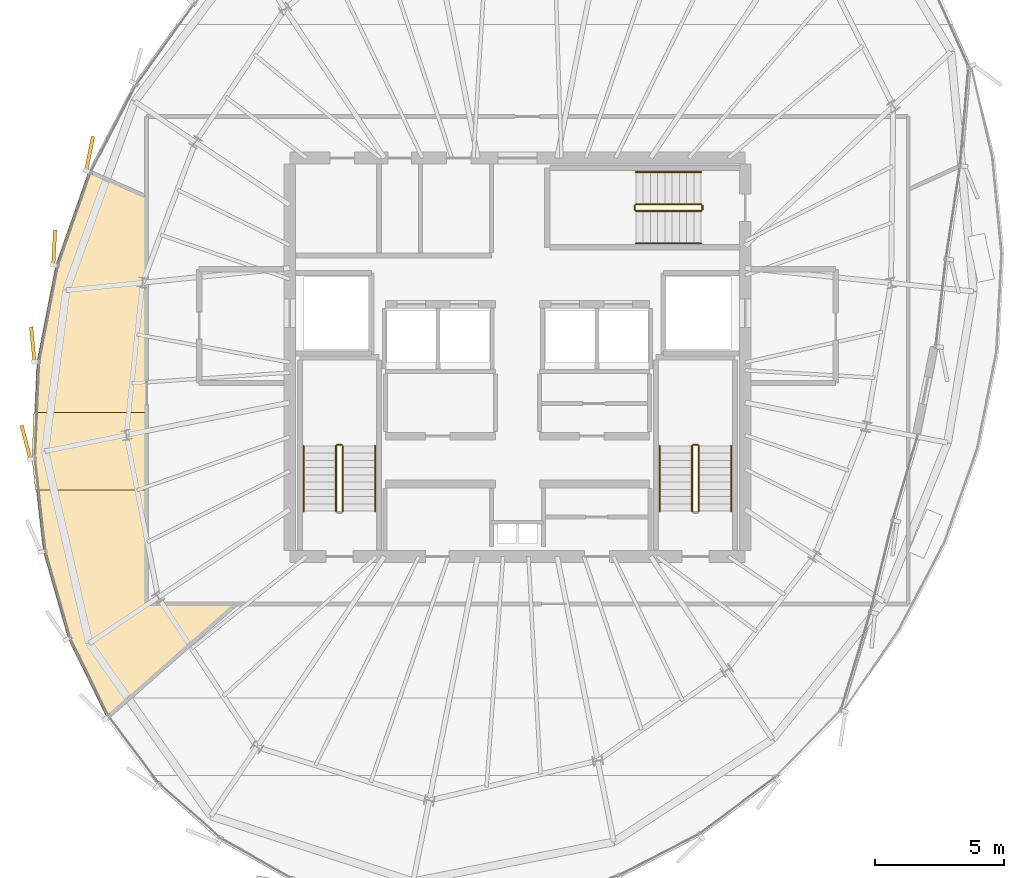
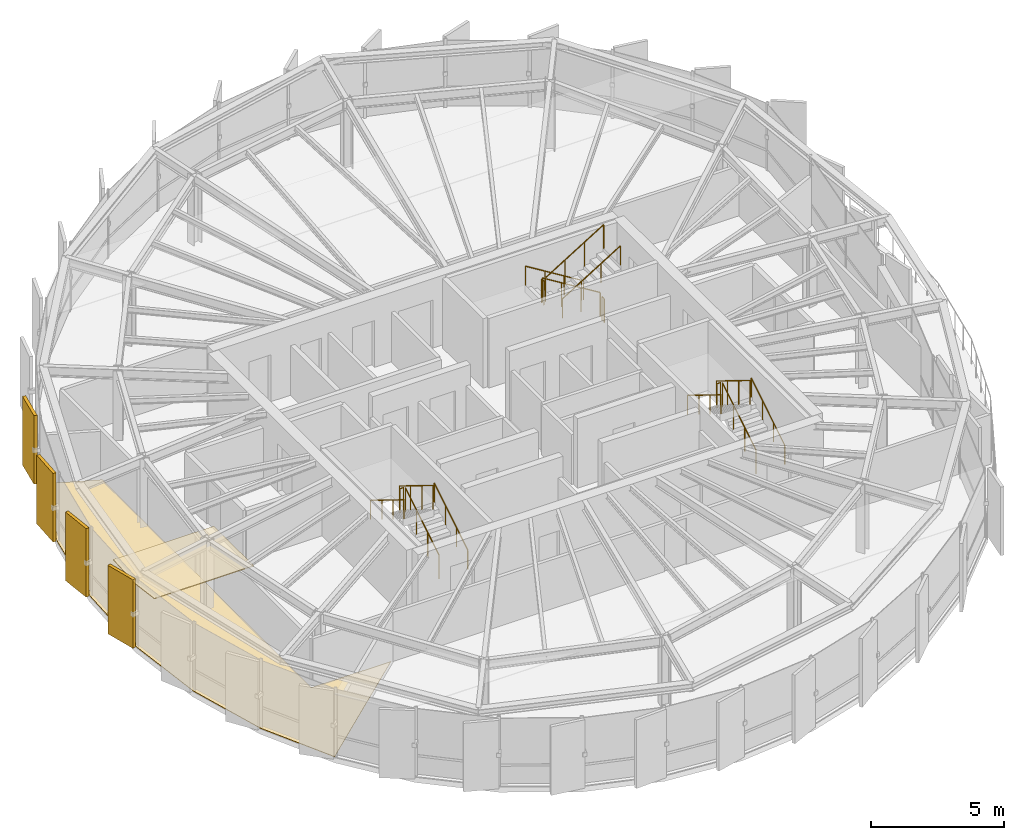
# One storey, part 30 of 31: 16 railings, 6 coverings.
"""IFC4 building model written with IfcOpenShell, lengths in metres."""

from ifc_helpers import new_model, si_unit, direction, frame, origin, origin_2d, place, context, subcontext, project, spatial, polyline, rectangle, circle, outline, extrude, source, transform, mapped, material, layer, layer_set, type_object, element, save


model = new_model("IFC4")

# Units and contexts
model_context = context("Model", 3, precision=1e-05, world=origin(), true_north=direction((0.0, 1.0)))
body_context = subcontext(model_context, "Body", "Model", "MODEL_VIEW")
ifc_project = project(units=[si_unit("LENGTHUNIT", "METRE"), si_unit("AREAUNIT", "SQUARE_METRE"), si_unit("VOLUMEUNIT", "CUBIC_METRE"), si_unit("PLANEANGLEUNIT", "RADIAN"), si_unit("MASSUNIT", "GRAM", prefix="KILO"), si_unit("THERMODYNAMICTEMPERATUREUNIT", "KELVIN")], contexts=[model_context])

# Site, building, storey
site_placement = place(None, origin())
site = spatial("IfcSite", under=ifc_project, at=site_placement, CompositionType="ELEMENT")
building_placement = place(site_placement, origin())
building = spatial("IfcBuilding", under=site, at=building_placement, Name="Kethvar Cultural Tower", CompositionType="ELEMENT")
storey_placement = place(building_placement, frame((0.0, 0.0, 300.85009765625)))
storey = spatial("IfcBuildingStorey", under=building, at=storey_placement, Name="L80", CompositionType="ELEMENT", Elevation=300.85009765625)

# Coverings
ifc_material_1 = material(Name="Acoustic Mineral Fibre Ceiling")
ifc_layer_1 = layer(ifc_material_1, 0.0400390625, Name="Acoustic Mineral Fibre Ceiling")
ifc_layer_set_1 = layer_set([ifc_layer_1], Name="Acoustic Mineral Fibre Ceiling (40 mm)")
covering_type_1 = type_object("IfcCoveringType", Name="CV-ACOUSTIC-CEIL", PredefinedType="CEILING", material=ifc_layer_set_1)
covering_1_placement = place(storey_placement, frame((0.0, 0.0, 2.889892578125)))
element("IfcCovering", 1, at=covering_1_placement, inside=storey, type_object=covering_type_1, Name="L80 Room 03 Acoustic Ceiling Panel", PredefinedType="CEILING", context=body_context, shape_type="SweptSolid", body=[
    extrude(outline(polyline([(28.03271484375, 23.896240234375), (28.10888671875, 25.66162109375), (32.47998046875, 25.66162109375), (32.47998046875, 22.671630859375), (28.17138671875, 22.671630859375), (28.03271484375, 23.896240234375)])), origin(), (0.0, 0.0, 1.0), 0.0400390625),
])
ifc_material_2 = material(Name="Architectural Oak Timber", Category="wood")
ifc_layer_2 = layer(ifc_material_2, 0.02490234375, Name="Architectural Oak Timber", Category="wood")
ifc_layer_set_2 = layer_set([ifc_layer_2], Name="Architectural Oak Timber (25 mm)")
covering_type_2 = type_object("IfcCoveringType", Name="CV-OAK-FLOOR", PredefinedType="FLOORING", material=ifc_layer_set_2)
covering_2_placement = place(storey_placement, origin())
element("IfcCovering", 2, at=covering_2_placement, inside=storey, type_object=covering_type_2, Name="L80 Room 03 Floor Finish", PredefinedType="FLOORING", context=body_context, shape_type="SweptSolid", body=[
    extrude(outline(polyline([(29.445068359375, 16.91845703125), (28.480712890625, 20.294677734375), (28.072509765625, 23.899169921875), (28.23388671875, 27.622314453125), (28.95947265625, 31.35107421875), (30.220703125, 34.95263671875), (32.43994140625, 33.9921875), (32.44091796875, 18.26318359375), (35.88720703125, 18.2490234375), (30.92626953125, 13.89501953125), (29.445068359375, 16.91845703125)])), origin(), (0.0, 0.0, 1.0), 0.02490234375),
])

# Railings
ifc_material_3 = material(Name="Steel S355J2", Category="steel")
railing_type_1 = type_object("IfcRailingType", Name="RL-STAIR-GUARD", PredefinedType="BALUSTRADE", material=ifc_material_3)
railing_1_placement = place(storey_placement, frame((40.050048828125, 21.85009765625, 0.17236328125)))
element("IfcRailing", 3, at=railing_1_placement, inside=storey, type_object=railing_type_1, Name="L80 ST-01 stair guard 1", PredefinedType="BALUSTRADE", context=body_context, shape_type="SweptSolid", body=[
    extrude(circle(Radius=0.02392578125, at=origin_2d()), frame((0.0, 0.0, 1.09619140625), z_axis=(0.0, 0.851400495292, 0.524516154772), x_axis=(-1.0, 0.0, 0.0)), (0.0, 0.0, 1.0), 2.9599609375),
    extrude(circle(Radius=0.02099609375, at=origin_2d()), origin(), (0.0, 0.0, 1.0), 1.072021484375),
    extrude(circle(Radius=0.02099609375, at=origin_2d()), frame((0.0, 0.840087890625, 0.517578125)), (0.0, 0.0, 1.0), 1.072021484375),
    extrude(circle(Radius=0.02099609375, at=origin_2d()), frame((0.0, 1.679931640625, 1.034912109375)), (0.0, 0.0, 1.0), 1.072021484375),
    extrude(circle(Radius=0.02099609375, at=origin_2d()), frame((0.0, 2.52001953125, 1.552490234375)), (0.0, 0.0, 1.0), 1.072021484375),
])
railing_2_placement = place(storey_placement, frame((40.0, 24.419921875, 1.724853515625)))
element("IfcRailing", 4, at=railing_2_placement, inside=storey, type_object=railing_type_1, Name="L80 ST-01 stair guard 2", PredefinedType="BALUSTRADE", context=body_context, shape_type="SweptSolid", body=[
    extrude(circle(Radius=0.02392578125, at=origin_2d()), frame((0.0, 0.0, 1.09619140625), z_axis=(-1.0, 0.0, 0.0), x_axis=(0.0, -1.0, 0.0)), (0.0, 0.0, 1.0), 0.159912109375),
    extrude(circle(Radius=0.02099609375, at=origin_2d()), origin(), (0.0, 0.0, 1.0), 1.072021484375),
    extrude(circle(Radius=0.02099609375, at=origin_2d()), frame((-0.159912109375, 0.0, 0.0)), (0.0, 0.0, 1.0), 1.072021484375),
])
railing_3_placement = place(storey_placement, frame((39.7900390625, 24.3701171875, 1.8974609375)))
element("IfcRailing", 5, at=railing_3_placement, inside=storey, type_object=railing_type_1, Name="L80 ST-01 stair guard 3", PredefinedType="BALUSTRADE", context=body_context, shape_type="SweptSolid", body=[
    extrude(circle(Radius=0.02392578125, at=origin_2d()), frame((0.0, 0.0, 1.09619140625), z_axis=(0.0, -0.851400495292, 0.524516154772), x_axis=(1.0, 0.0, 0.0)), (0.0, 0.0, 1.0), 2.9599609375),
    extrude(circle(Radius=0.02099609375, at=origin_2d()), origin(), (0.0, 0.0, 1.0), 1.072021484375),
    extrude(circle(Radius=0.02099609375, at=origin_2d()), frame((0.0, -0.840087890625, 0.517578125)), (0.0, 0.0, 1.0), 1.072021484375),
    extrude(circle(Radius=0.02099609375, at=origin_2d()), frame((0.0, -1.679931640625, 1.034912109375)), (0.0, 0.0, 1.0), 1.072021484375),
    extrude(circle(Radius=0.02099609375, at=origin_2d()), frame((0.0, -2.52001953125, 1.552490234375)), (0.0, 0.0, 1.0), 1.072021484375),
])
railing_4_placement = place(storey_placement, frame((53.81005859375, 21.85009765625, 0.17236328125)))
element("IfcRailing", 6, at=railing_4_placement, inside=storey, type_object=railing_type_1, Name="L80 ST-02 stair guard 1", PredefinedType="BALUSTRADE", context=body_context, shape_type="SweptSolid", body=[
    extrude(circle(Radius=0.02392578125, at=origin_2d()), frame((0.0, 0.0, 1.09619140625), z_axis=(0.0, 0.851400495292, 0.524516154772), x_axis=(-1.0, 0.0, 0.0)), (0.0, 0.0, 1.0), 2.9599609375),
    extrude(circle(Radius=0.02099609375, at=origin_2d()), origin(), (0.0, 0.0, 1.0), 1.072021484375),
    extrude(circle(Radius=0.02099609375, at=origin_2d()), frame((0.0, 0.840087890625, 0.517578125)), (0.0, 0.0, 1.0), 1.072021484375),
    extrude(circle(Radius=0.02099609375, at=origin_2d()), frame((0.0, 1.679931640625, 1.034912109375)), (0.0, 0.0, 1.0), 1.072021484375),
    extrude(circle(Radius=0.02099609375, at=origin_2d()), frame((0.0, 2.52001953125, 1.552490234375)), (0.0, 0.0, 1.0), 1.072021484375),
])
railing_5_placement = place(storey_placement, frame((53.760009765625, 24.419921875, 1.724853515625)))
element("IfcRailing", 7, at=railing_5_placement, inside=storey, type_object=railing_type_1, Name="L80 ST-02 stair guard 2", PredefinedType="BALUSTRADE", context=body_context, shape_type="SweptSolid", body=[
    extrude(circle(Radius=0.02392578125, at=origin_2d()), frame((0.0, 0.0, 1.09619140625), z_axis=(-1.0, 0.0, 0.0), x_axis=(0.0, -1.0, 0.0)), (0.0, 0.0, 1.0), 0.159912109375),
    extrude(circle(Radius=0.02099609375, at=origin_2d()), origin(), (0.0, 0.0, 1.0), 1.072021484375),
    extrude(circle(Radius=0.02099609375, at=origin_2d()), frame((-0.159912109375, 0.0, 0.0)), (0.0, 0.0, 1.0), 1.072021484375),
])
railing_6_placement = place(storey_placement, frame((53.550048828125, 24.3701171875, 1.8974609375)))
element("IfcRailing", 8, at=railing_6_placement, inside=storey, type_object=railing_type_1, Name="L80 ST-02 stair guard 3", PredefinedType="BALUSTRADE", context=body_context, shape_type="SweptSolid", body=[
    extrude(circle(Radius=0.02392578125, at=origin_2d()), frame((0.0, 0.0, 1.09619140625), z_axis=(0.0, -0.851400495292, 0.524516154772), x_axis=(1.0, 0.0, 0.0)), (0.0, 0.0, 1.0), 2.9599609375),
    extrude(circle(Radius=0.02099609375, at=origin_2d()), origin(), (0.0, 0.0, 1.0), 1.072021484375),
    extrude(circle(Radius=0.02099609375, at=origin_2d()), frame((0.0, -0.840087890625, 0.517578125)), (0.0, 0.0, 1.0), 1.072021484375),
    extrude(circle(Radius=0.02099609375, at=origin_2d()), frame((0.0, -1.679931640625, 1.034912109375)), (0.0, 0.0, 1.0), 1.072021484375),
    extrude(circle(Radius=0.02099609375, at=origin_2d()), frame((0.0, -2.52001953125, 1.552490234375)), (0.0, 0.0, 1.0), 1.072021484375),
])
railing_7_placement = place(storey_placement, frame((53.89990234375, 33.7099609375, 0.17236328125)))
element("IfcRailing", 9, at=railing_7_placement, inside=storey, type_object=railing_type_1, Name="L80 ST-03 stair guard 1", PredefinedType="BALUSTRADE", context=body_context, shape_type="SweptSolid", body=[
    extrude(circle(Radius=0.02392578125, at=origin_2d()), frame((0.0, 0.0, 1.09619140625), z_axis=(-0.851400495292, 0.0, 0.524516154772), x_axis=(0.0, -1.0, 0.0)), (0.0, 0.0, 1.0), 2.9599609375),
    extrude(circle(Radius=0.02099609375, at=origin_2d()), origin(), (0.0, 0.0, 1.0), 1.072021484375),
    extrude(circle(Radius=0.02099609375, at=origin_2d()), frame((-0.840087890625, 0.0, 0.517578125)), (0.0, 0.0, 1.0), 1.072021484375),
    extrude(circle(Radius=0.02099609375, at=origin_2d()), frame((-1.679931640625, 0.0, 1.034912109375)), (0.0, 0.0, 1.0), 1.072021484375),
    extrude(circle(Radius=0.02099609375, at=origin_2d()), frame((-2.52001953125, 0.0, 1.552490234375)), (0.0, 0.0, 1.0), 1.072021484375),
])
railing_8_placement = place(storey_placement, frame((51.330078125, 33.659912109375, 1.724853515625)))
element("IfcRailing", 10, at=railing_8_placement, inside=storey, type_object=railing_type_1, Name="L80 ST-03 stair guard 2", PredefinedType="BALUSTRADE", context=body_context, shape_type="SweptSolid", body=[
    extrude(circle(Radius=0.02392578125, at=origin_2d()), frame((0.0, 0.0, 1.09619140625), z_axis=(0.0, -1.0, 0.0), x_axis=(1.0, 0.0, 0.0)), (0.0, 0.0, 1.0), 0.159912109375),
    extrude(circle(Radius=0.02099609375, at=origin_2d()), origin(), (0.0, 0.0, 1.0), 1.072021484375),
    extrude(circle(Radius=0.02099609375, at=origin_2d()), frame((0.0, -0.159912109375, 0.0)), (0.0, 0.0, 1.0), 1.072021484375),
])
railing_9_placement = place(storey_placement, frame((51.3798828125, 33.449951171875, 1.8974609375)))
element("IfcRailing", 11, at=railing_9_placement, inside=storey, type_object=railing_type_1, Name="L80 ST-03 stair guard 3", PredefinedType="BALUSTRADE", context=body_context, shape_type="SweptSolid", body=[
    extrude(circle(Radius=0.02392578125, at=origin_2d()), frame((0.0, 0.0, 1.09619140625), z_axis=(0.851400495292, 0.0, 0.524516154772), x_axis=(0.0, 1.0, 0.0)), (0.0, 0.0, 1.0), 2.9599609375),
    extrude(circle(Radius=0.02099609375, at=origin_2d()), origin(), (0.0, 0.0, 1.0), 1.072021484375),
    extrude(circle(Radius=0.02099609375, at=origin_2d()), frame((0.840087890625, 0.0, 0.517578125)), (0.0, 0.0, 1.0), 1.072021484375),
    extrude(circle(Radius=0.02099609375, at=origin_2d()), frame((1.679931640625, 0.0, 1.034912109375)), (0.0, 0.0, 1.0), 1.072021484375),
    extrude(circle(Radius=0.02099609375, at=origin_2d()), frame((2.52001953125, 0.0, 1.552490234375)), (0.0, 0.0, 1.0), 1.072021484375),
])
railing_10_placement = place(storey_placement, frame((53.949951171875, 33.659912109375, 0.0)))
element("IfcRailing", 12, at=railing_10_placement, inside=storey, type_object=railing_type_1, Name="L80 ST-03 stair guard 4", PredefinedType="BALUSTRADE", context=body_context, shape_type="SweptSolid", body=[
    extrude(circle(Radius=0.02392578125, at=origin_2d()), frame((0.0, 0.0, 1.09619140625), z_axis=(0.0, -1.0, 0.0), x_axis=(1.0, 0.0, 0.0)), (0.0, 0.0, 1.0), 0.159912109375),
    extrude(circle(Radius=0.02099609375, at=origin_2d()), origin(), (0.0, 0.0, 1.0), 1.072021484375),
    extrude(circle(Radius=0.02099609375, at=origin_2d()), frame((0.0, -0.159912109375, 0.0)), (0.0, 0.0, 1.0), 1.072021484375),
])
railing_type_2 = type_object("IfcRailingType", Name="RL-STAIR-HANDRAIL", PredefinedType="HANDRAIL", material=ifc_material_3)
railing_11_placement = place(storey_placement, frame((41.300048828125, 21.85009765625, 0.17236328125)))
element("IfcRailing", 13, at=railing_11_placement, inside=storey, type_object=railing_type_2, Name="L80 ST-01 stair handrail 1", PredefinedType="HANDRAIL", context=body_context, shape_type="SweptSolid", body=[
    extrude(circle(Radius=0.02392578125, at=origin_2d()), frame((0.0, 0.0, 0.8759765625), z_axis=(0.0, 0.851400495292, 0.524516154772), x_axis=(-1.0, 0.0, 0.0)), (0.0, 0.0, 1.0), 2.9599609375),
    extrude(circle(Radius=0.02099609375, at=origin_2d()), origin(), (0.0, 0.0, 1.0), 0.851806640625),
    extrude(circle(Radius=0.02099609375, at=origin_2d()), frame((0.0, 0.840087890625, 0.517578125)), (0.0, 0.0, 1.0), 0.851806640625),
    extrude(circle(Radius=0.02099609375, at=origin_2d()), frame((0.0, 1.679931640625, 1.034912109375)), (0.0, 0.0, 1.0), 0.851806640625),
    extrude(circle(Radius=0.02099609375, at=origin_2d()), frame((0.0, 2.52001953125, 1.552490234375)), (0.0, 0.0, 1.0), 0.851806640625),
])
railing_12_placement = place(storey_placement, frame((38.5400390625, 24.3701171875, 1.8974609375)))
element("IfcRailing", 14, at=railing_12_placement, inside=storey, type_object=railing_type_2, Name="L80 ST-01 stair handrail 2", PredefinedType="HANDRAIL", context=body_context, shape_type="SweptSolid", body=[
    extrude(circle(Radius=0.02392578125, at=origin_2d()), frame((0.0, 0.0, 0.8759765625), z_axis=(0.0, -0.851400495292, 0.524516154772), x_axis=(1.0, 0.0, 0.0)), (0.0, 0.0, 1.0), 2.9599609375),
    extrude(circle(Radius=0.02099609375, at=origin_2d()), origin(), (0.0, 0.0, 1.0), 0.851806640625),
    extrude(circle(Radius=0.02099609375, at=origin_2d()), frame((0.0, -0.840087890625, 0.517578125)), (0.0, 0.0, 1.0), 0.851806640625),
    extrude(circle(Radius=0.02099609375, at=origin_2d()), frame((0.0, -1.679931640625, 1.034912109375)), (0.0, 0.0, 1.0), 0.851806640625),
    extrude(circle(Radius=0.02099609375, at=origin_2d()), frame((0.0, -2.52001953125, 1.552490234375)), (0.0, 0.0, 1.0), 0.851806640625),
])
railing_13_placement = place(storey_placement, frame((55.06005859375, 21.85009765625, 0.17236328125)))
element("IfcRailing", 15, at=railing_13_placement, inside=storey, type_object=railing_type_2, Name="L80 ST-02 stair handrail 1", PredefinedType="HANDRAIL", context=body_context, shape_type="SweptSolid", body=[
    extrude(circle(Radius=0.02392578125, at=origin_2d()), frame((0.0, 0.0, 0.8759765625), z_axis=(0.0, 0.851400495292, 0.524516154772), x_axis=(-1.0, 0.0, 0.0)), (0.0, 0.0, 1.0), 2.9599609375),
    extrude(circle(Radius=0.02099609375, at=origin_2d()), origin(), (0.0, 0.0, 1.0), 0.851806640625),
    extrude(circle(Radius=0.02099609375, at=origin_2d()), frame((0.0, 0.840087890625, 0.517578125)), (0.0, 0.0, 1.0), 0.851806640625),
    extrude(circle(Radius=0.02099609375, at=origin_2d()), frame((0.0, 1.679931640625, 1.034912109375)), (0.0, 0.0, 1.0), 0.851806640625),
    extrude(circle(Radius=0.02099609375, at=origin_2d()), frame((0.0, 2.52001953125, 1.552490234375)), (0.0, 0.0, 1.0), 0.851806640625),
])
railing_14_placement = place(storey_placement, frame((52.300048828125, 24.3701171875, 1.8974609375)))
element("IfcRailing", 16, at=railing_14_placement, inside=storey, type_object=railing_type_2, Name="L80 ST-02 stair handrail 2", PredefinedType="HANDRAIL", context=body_context, shape_type="SweptSolid", body=[
    extrude(circle(Radius=0.02392578125, at=origin_2d()), frame((0.0, 0.0, 0.8759765625), z_axis=(0.0, -0.851400495292, 0.524516154772), x_axis=(1.0, 0.0, 0.0)), (0.0, 0.0, 1.0), 2.9599609375),
    extrude(circle(Radius=0.02099609375, at=origin_2d()), origin(), (0.0, 0.0, 1.0), 0.851806640625),
    extrude(circle(Radius=0.02099609375, at=origin_2d()), frame((0.0, -0.840087890625, 0.517578125)), (0.0, 0.0, 1.0), 0.851806640625),
    extrude(circle(Radius=0.02099609375, at=origin_2d()), frame((0.0, -1.679931640625, 1.034912109375)), (0.0, 0.0, 1.0), 0.851806640625),
    extrude(circle(Radius=0.02099609375, at=origin_2d()), frame((0.0, -2.52001953125, 1.552490234375)), (0.0, 0.0, 1.0), 0.851806640625),
])
railing_15_placement = place(storey_placement, frame((53.89990234375, 34.9599609375, 0.17236328125)))
element("IfcRailing", 17, at=railing_15_placement, inside=storey, type_object=railing_type_2, Name="L80 ST-03 stair handrail 1", PredefinedType="HANDRAIL", context=body_context, shape_type="SweptSolid", body=[
    extrude(circle(Radius=0.02392578125, at=origin_2d()), frame((0.0, 0.0, 0.8759765625), z_axis=(-0.851400495292, 0.0, 0.524516154772), x_axis=(0.0, -1.0, 0.0)), (0.0, 0.0, 1.0), 2.9599609375),
    extrude(circle(Radius=0.02099609375, at=origin_2d()), origin(), (0.0, 0.0, 1.0), 0.851806640625),
    extrude(circle(Radius=0.02099609375, at=origin_2d()), frame((-0.840087890625, 0.0, 0.517578125)), (0.0, 0.0, 1.0), 0.851806640625),
    extrude(circle(Radius=0.02099609375, at=origin_2d()), frame((-1.679931640625, 0.0, 1.034912109375)), (0.0, 0.0, 1.0), 0.851806640625),
    extrude(circle(Radius=0.02099609375, at=origin_2d()), frame((-2.52001953125, 0.0, 1.552490234375)), (0.0, 0.0, 1.0), 0.851806640625),
])
railing_16_placement = place(storey_placement, frame((51.3798828125, 32.199951171875, 1.8974609375)))
element("IfcRailing", 18, at=railing_16_placement, inside=storey, type_object=railing_type_2, Name="L80 ST-03 stair handrail 2", PredefinedType="HANDRAIL", context=body_context, shape_type="SweptSolid", body=[
    extrude(circle(Radius=0.02392578125, at=origin_2d()), frame((0.0, 0.0, 0.8759765625), z_axis=(0.851400495292, 0.0, 0.524516154772), x_axis=(0.0, 1.0, 0.0)), (0.0, 0.0, 1.0), 2.9599609375),
    extrude(circle(Radius=0.02099609375, at=origin_2d()), origin(), (0.0, 0.0, 1.0), 0.851806640625),
    extrude(circle(Radius=0.02099609375, at=origin_2d()), frame((0.840087890625, 0.0, 0.517578125)), (0.0, 0.0, 1.0), 0.851806640625),
    extrude(circle(Radius=0.02099609375, at=origin_2d()), frame((1.679931640625, 0.0, 1.034912109375)), (0.0, 0.0, 1.0), 0.851806640625),
    extrude(circle(Radius=0.02099609375, at=origin_2d()), frame((2.52001953125, 0.0, 1.552490234375)), (0.0, 0.0, 1.0), 0.851806640625),
])

# Coverings
ifc_material_4 = material(Name="Extruded Architectural Terracotta", Category="masonry")
ifc_layer_3 = layer(ifc_material_4, 0.135009765625, Name="Extruded Architectural Terracotta", Category="masonry")
ifc_layer_set_3 = layer_set([ifc_layer_3], Name="Extruded Architectural Terracotta (135 mm)")
covering_type_3 = type_object("IfcCoveringType", Name="Terracotta Facade Fin FIN-03", PredefinedType="CLADDING", material=ifc_layer_set_3)
shared_shape = source(origin(), body_context, "Body", "SweptSolid", [
    extrude(rectangle(XDim=1.35009765625, YDim=0.135009765625, at=origin_2d()), origin(), (0.0, 0.0, 1.0), 3.14501953125),
])
for number, where, z_axis, x_axis, name in (
    (19, (30.265380859375, 35.66796875, 0.019775390625), (0.0, 0.0, 1.0), (0.195774991714, 0.980648842665, 0.0), "L80 Vertical Terracotta Fin 2.4"),
    (20, (28.897216796875, 32.04541015625, 0.019775390625), (0.0, 0.0, 1.0), (0.052510249179, 0.998620385197, 0.0), "L80 Vertical Terracotta Fin 2.5"),
    (21, (28.069091796875, 28.300048828125, 0.019775390625), (0.0, 0.0, 1.0), (-0.096193205494, 0.995362681246, 0.0), "L80 Vertical Terracotta Fin 2.6"),
    (22, (27.80859375, 24.507568359375, 0.019775390625), (0.0, 0.0, 1.0), (-0.249704048534, 0.96832220265, 0.0), "L80 Vertical Terracotta Fin 3.1"),
):
    element("IfcCovering", number, at=place(storey_placement, frame(where, z_axis=z_axis, x_axis=x_axis)), inside=storey, type_object=covering_type_3, Name=name, PredefinedType="CLADDING", context=body_context, shape_type="MappedRepresentation", body=[
        mapped(shared_shape, transform((0.0, 0.0, 0.0), scale=1.0)),
    ])

save(model, "model.ifc")
